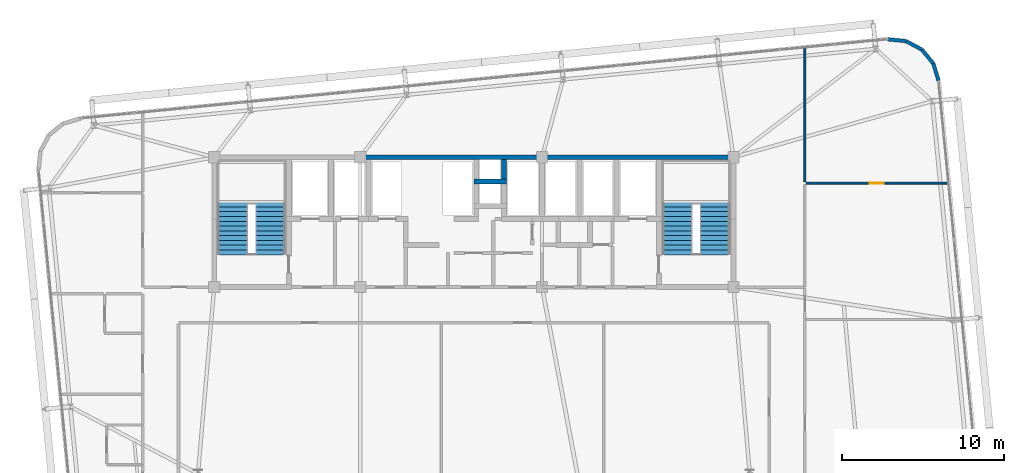
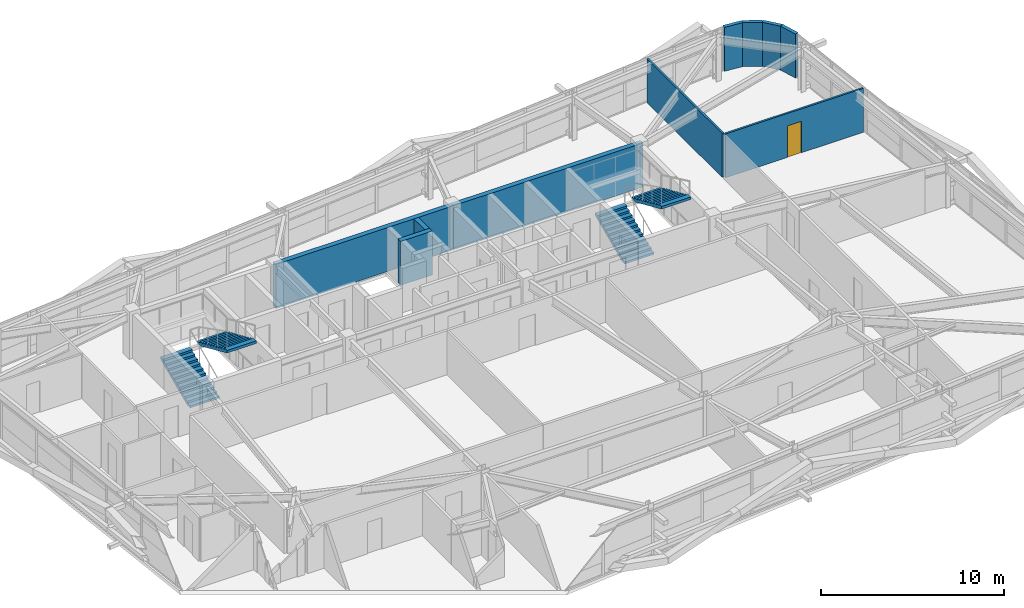
# One storey, part 50 of 53: 10 walls, 4 stair flights, 1 door, 1 opening, 2 elements without a shape of their own.
"""IFC4 building model written with IfcOpenShell, lengths in metres."""

from ifc_helpers import new_model, si_unit, direction, frame, frame_2d, origin, place, context, subcontext, project, spatial, polyline, rectangle, outline, extrude, source, transform, mapped, material, layer, layer_set, type_object, element, fill, aggregate, save


model = new_model("IFC4")

# Units and contexts
model_context = context("Model", 3, precision=1e-05, world=origin(), true_north=direction((0.0, 1.0)))
body_context = subcontext(model_context, "Body", "Model", "MODEL_VIEW")
ifc_project = project(units=[si_unit("LENGTHUNIT", "METRE"), si_unit("AREAUNIT", "SQUARE_METRE"), si_unit("VOLUMEUNIT", "CUBIC_METRE"), si_unit("PLANEANGLEUNIT", "RADIAN"), si_unit("MASSUNIT", "GRAM", prefix="KILO")], contexts=[model_context])

# Site, building, storey
site_placement = place(None, origin())
site = spatial("IfcSite", under=ifc_project, at=site_placement, CompositionType="ELEMENT")
building_placement = place(site_placement, origin())
building = spatial("IfcBuilding", under=site, at=building_placement, Name="Taldren Reach Tower", CompositionType="ELEMENT")
storey_placement = place(building_placement, frame((0.0, 0.0, 80.85009765625)))
storey = spatial("IfcBuildingStorey", under=building, at=storey_placement, Name="L24", CompositionType="ELEMENT", Elevation=80.85009765625)

# Walls
ifc_material_1 = material(Name="Pale Champagne Anodised Aluminium Cladding", Category="aluminium")
ifc_layer_1 = layer(ifc_material_1, 0.04, Name="Pale Champagne Anodised Aluminium Cladding", Category="aluminium")
ifc_material_2 = material(Name="Mineral Wool Acoustic Insulation", Category="insulation")
ifc_layer_2 = layer(ifc_material_2, 0.06, Name="Mineral Wool Acoustic Insulation", Category="insulation")
ifc_material_3 = material(Name="Steel Gr 350 (C350L0)", Category="steel")
ifc_layer_3 = layer(ifc_material_3, 0.12, Name="Steel Gr 350 (C350L0)", Category="steel")
ifc_layer_set_1 = layer_set([ifc_layer_1, ifc_layer_2, ifc_layer_3], Name="Pale Champagne Aluminium Cladding and Steel Gr 350 Stud Framing")
wall_type_1 = type_object("IfcWallType", Name="EW-CRN-220", PredefinedType="SOLIDWALL", material=ifc_layer_set_1)
shared_shape_1 = source(origin(), body_context, "Body", "SweptSolid", [
    extrude(rectangle(XDim=1.115966796875, YDim=0.219970703125, at=frame_2d((0.55810546875, 0.0))), origin(), (0.0, 0.0, 1.0), 2.929931640625),
])
for number, where, z_axis, x_axis, name in (
    (1, (63.6376953125, 36.6982421875, 0.0), (0.0, 0.0, 1.0), (-0.289855603468, 0.957070388811, 0.0), "Rounded-corner pale-metal facade wall L24-NE1"),
    (2, (62.606689453125, 38.629150390625, 0.0), (0.0, 0.0, 1.0), (-0.881655534635, 0.471893545461, 0.0), "Rounded-corner pale-metal facade wall L24-NE3"),
    (3, (61.622802734375, 39.15576171875, 0.0), (0.0, 0.0, 1.0), (-0.995142755671, 0.09844234778, 0.0), "Rounded-corner pale-metal facade wall L24-NE4"),
):
    element("IfcWall", number, at=place(storey_placement, frame(where, z_axis=z_axis, x_axis=x_axis)), inside=storey, type_object=wall_type_1, Name=name, PredefinedType="SOLIDWALL", context=body_context, shape_type="MappedRepresentation", body=[
        mapped(shared_shape_1, transform((0.0, 0.0, 0.0), scale=1.0)),
    ])
shared_shape_2 = source(origin(), body_context, "Body", "SweptSolid", [
    extrude(rectangle(XDim=1.11572265625, YDim=0.219970703125, at=frame_2d((0.557861328125, 0.0))), origin(), (0.0, 0.0, 1.0), 2.929931640625),
])
wall_1_placement = place(storey_placement, frame((63.314208984375, 37.766357421875, 0.0), z_axis=(0.0, 0.0, 1.0), x_axis=(-0.634095287989, 0.773254916409, 0.0)))
element("IfcWall", 4, at=wall_1_placement, inside=storey, type_object=wall_type_1, Name="Rounded-corner pale-metal facade wall L24-NE2", PredefinedType="SOLIDWALL", context=body_context, shape_type="MappedRepresentation", body=[
    mapped(shared_shape_2, transform((0.0, 0.0, 0.0), scale=1.0)),
])
ifc_material_4 = material(Name="Concrete S65 (65 MPa)", Category="concrete")
ifc_layer_4 = layer(ifc_material_4, 0.300048828125)
ifc_layer_set_2 = layer_set([ifc_layer_4], Name="Concrete S65 (65 MPa)")
wall_type_2 = type_object("IfcWallType", Name="IW-CORE-300", PredefinedType="SHEAR", material=ifc_layer_set_2)
shared_shape_3 = source(origin(), body_context, "Body", "SweptSolid", [
    extrude(rectangle(XDim=11.199951171875, YDim=0.300048828125, at=frame_2d((5.60009765625, 0.0))), origin(), (0.0, 0.0, 1.0), 2.929931640625),
])
wall_2_placement = place(storey_placement, frame((28.0, 32.0, 0.0), z_axis=(0.0, 0.0, 1.0), x_axis=(1.0, 0.0, 0.0)))
element("IfcWall", 5, at=wall_2_placement, inside=storey, type_object=wall_type_2, Name="Rear Core Shear Wall W-CORE-L24-NORTH2", PredefinedType="SHEAR", context=body_context, shape_type="MappedRepresentation", body=[
    mapped(shared_shape_3, transform((0.0, 0.0, 0.0), scale=1.0)),
])
shared_shape_4 = source(origin(), body_context, "Body", "SweptSolid", [
    extrude(rectangle(XDim=11.949951171875, YDim=0.300048828125, at=frame_2d((5.97509765625, 0.0))), origin(), (0.0, 0.0, 1.0), 2.929931640625),
])
wall_3_placement = place(storey_placement, frame((39.199951171875, 32.0, 0.0), z_axis=(0.0, 0.0, 1.0), x_axis=(1.0, 0.0, 0.0)))
element("IfcWall", 6, at=wall_3_placement, inside=storey, type_object=wall_type_2, Name="Rear Core Shear Wall W-CORE-L24-NORTH3", PredefinedType="SHEAR", context=body_context, shape_type="MappedRepresentation", body=[
    mapped(shared_shape_4, transform((0.0, 0.0, 0.0), scale=1.0)),
])
shared_shape_5 = source(origin(), body_context, "Body", "SweptSolid", [
    extrude(rectangle(XDim=2.0, YDim=0.300048828125, at=frame_2d((1.0, 0.0))), origin(), (0.0, 0.0, 1.0), 2.929931640625),
])
wall_4_placement = place(storey_placement, frame((35.0, 30.5, 0.0), z_axis=(0.0, 0.0, 1.0), x_axis=(1.0, 0.0, 0.0)))
element("IfcWall", 7, at=wall_4_placement, inside=storey, type_object=wall_type_2, Name="Rear Core Shear Wall W-INT-L24-016", PredefinedType="SHEAR", context=body_context, shape_type="MappedRepresentation", body=[
    mapped(shared_shape_5, transform((0.0, 0.0, 0.0), scale=1.0)),
])
shared_shape_6 = source(origin(), body_context, "Body", "SweptSolid", [
    extrude(rectangle(XDim=1.2001953125, YDim=0.300048828125, at=frame_2d((0.60009765625, 0.0))), origin(), (0.0, 0.0, 1.0), 2.929931640625),
])
wall_5_placement = place(storey_placement, frame((36.85009765625, 30.64990234375, 0.0), z_axis=(0.0, 0.0, 1.0), x_axis=(0.0, 1.0, 0.0)))
element("IfcWall", 8, at=wall_5_placement, inside=storey, type_object=wall_type_2, Name="Rear Core Shear Wall W-INT-L24-018", PredefinedType="SHEAR", context=body_context, shape_type="MappedRepresentation", body=[
    mapped(shared_shape_6, transform((0.0, 0.0, 0.0), scale=1.0)),
])

# Wall, opening, door
ifc_material_5 = material(Name="Insulated Residential Stud Partition", Category="gypsum")
ifc_layer_5 = layer(ifc_material_5, 0.1201171875)
ifc_layer_set_3 = layer_set([ifc_layer_5], Name="Insulated Residential Stud Partition")
wall_type_3 = type_object("IfcWallType", Name="IW-PART-120", PredefinedType="PARTITIONING", material=ifc_layer_set_3)
shared_shape_7 = source(origin(), body_context, "Body", "SweptSolid", [
    extrude(rectangle(XDim=8.692626953125, YDim=0.1201171875, at=frame_2d((4.34619140625, 0.0))), origin(), (0.0, 0.0, 1.0), 2.929931640625),
])
wall_6_placement = place(storey_placement, frame((55.47998046875, 30.39990234375, 0.0), z_axis=(0.0, 0.0, 1.0), x_axis=(1.0, 0.0, 0.0)))
wall_6 = element("IfcWall", 9, at=wall_6_placement, inside=storey, type_object=wall_type_3, Name="Interior Partition Wall W-INT-L24-121", PredefinedType="PARTITIONING", context=body_context, shape_type="MappedRepresentation", body=[
    mapped(shared_shape_7, transform((0.0, 0.0, 0.0), scale=1.0)),
])
shared_shape_8 = source(origin(), body_context, "Body", "SweptSolid", [
    extrude(rectangle(XDim=0.860107421875, YDim=2.10009765625, at=frame_2d((0.43017578125, 1.050048828125))), frame((0.0, 0.070068359375, 0.0), z_axis=(0.0, -1.0, 0.0), x_axis=(1.0, 0.0, 0.0)), (0.0, 0.0, 1.0), 0.14013671875),
])
opening_placement = place(wall_6_placement, frame((3.916259765625, 0.0, 0.0)))
opening = element("IfcOpeningElement", 10, at=opening_placement, cuts=wall_6, Name="Opening DI-086", PredefinedType="OPENING", context=body_context, shape_type="MappedRepresentation", body=[
    mapped(shared_shape_8, transform((0.0, 0.0, 0.0), scale=1.0)),
])
ifc_material_6 = material(Name="Timber Bathroom Door", Category="wood")
door_type = type_object("IfcDoorType", Name="ID-INT-086", OperationType="NOTDEFINED", PredefinedType="DOOR", material=ifc_material_6)
shared_shape_9 = source(origin(), body_context, "Body", "SweptSolid", [
    extrude(rectangle(XDim=0.860107421875, YDim=2.10009765625, at=frame_2d((0.43017578125, 1.050048828125))), frame((0.0, 0.02490234375, 0.0), z_axis=(0.0, -1.0, 0.0), x_axis=(1.0, 0.0, 0.0)), (0.0, 0.0, 1.0), 0.050048828125),
])
door_placement = place(opening_placement, origin())
door = element("IfcDoor", 11, at=door_placement, inside=storey, type_object=door_type, Name="Interior Door DR-L24-037", OperationType="SINGLE_SWING_RIGHT", OverallHeight=2.10009765625, OverallWidth=0.860107421875, PredefinedType="DOOR", context=body_context, shape_type="MappedRepresentation", body=[
    mapped(shared_shape_9, transform((0.0, 0.0, 0.0), scale=1.0)),
])
fill(opening, door)

# Wall
shared_shape_10 = source(origin(), body_context, "Body", "SweptSolid", [
    extrude(rectangle(XDim=8.20166015625, YDim=0.1201171875, at=frame_2d((4.100830078125, 0.0))), origin(), (0.0, 0.0, 1.0), 2.929931640625),
])
wall_7_placement = place(storey_placement, frame((55.39990234375, 30.47998046875, 0.0), z_axis=(0.0, 0.0, 1.0), x_axis=(0.0, 1.0, 0.0)))
element("IfcWall", 12, at=wall_7_placement, inside=storey, type_object=wall_type_3, Name="Interior Partition Wall W-INT-L24-123", PredefinedType="PARTITIONING", context=body_context, shape_type="MappedRepresentation", body=[
    mapped(shared_shape_10, transform((0.0, 0.0, 0.0), scale=1.0)),
])

# Stair, stair flights
ifc_material_7 = material(Name="Concrete S50 (50 MPa)", Category="concrete")
stair_type = type_object("IfcStairType", Name="ST-HT-315", PredefinedType="HALF_TURN_STAIR", material=ifc_material_7)
stair_1_placement = place(storey_placement, origin())
stair_1 = element("IfcStair", 13, at=stair_1_placement, inside=storey, type_object=stair_type, Name="Fire-isolated exit stair ST1 L24", PredefinedType="HALF_TURN_STAIR")
stair_flight_type = type_object("IfcStairFlightType", Name="SF-STR-315", PredefinedType="STRAIGHT", material=ifc_material_7)
stair_flight_1_placement = place(storey_placement, frame((20.139892578125, 25.989990234375, 0.0), z_axis=(0.0, 0.0, 1.0), x_axis=(0.0, 1.0, 0.0)))
stair_flight_1 = element("IfcStairFlight", 14, at=stair_flight_1_placement, type_object=stair_flight_type, Name="ST1 flight 1", NumberOfRisers=12, NumberOfTreads=11, PredefinedType="STRAIGHT", RiserHeight=0.13125, TreadLength=0.295, context=body_context, shape_type="SweptSolid", body=[
    extrude(outline(polyline([(0.0, 0.0), (0.0, 0.13134765625), (0.294921875, 0.13134765625), (0.294921875, 0.262451171875), (0.590087890625, 0.262451171875), (0.590087890625, 0.393798828125), (0.885009765625, 0.393798828125), (0.885009765625, 0.52490234375), (1.179931640625, 0.52490234375), (1.179931640625, 0.65625), (1.47509765625, 0.65625), (1.47509765625, 0.78759765625), (1.77001953125, 0.78759765625), (1.77001953125, 0.918701171875), (2.06494140625, 0.918701171875), (2.06494140625, 1.050048828125), (2.360107421875, 1.050048828125), (2.360107421875, 1.18115234375), (2.655029296875, 1.18115234375), (2.655029296875, 1.3125), (2.949951171875, 1.3125), (2.949951171875, 1.44384765625), (3.2451171875, 1.44384765625), (3.2451171875, 1.574951171875), (3.2451171875, 1.268798828125), (0.393310546875, 0.0), (0.0, 0.0)])), frame((0.0, 0.919921875, 0.0), z_axis=(0.0, -1.0, 0.0), x_axis=(1.0, 0.0, 0.0)), (0.0, 0.0, 1.0), 1.840087890625),
])
stair_flight_2_placement = place(storey_placement, frame((22.4599609375, 29.235107421875, 1.574951171875), z_axis=(0.0, 0.0, 1.0), x_axis=(0.0, -1.0, 0.0)))
stair_flight_2 = element("IfcStairFlight", 15, at=stair_flight_2_placement, type_object=stair_flight_type, Name="ST1 flight 2", NumberOfRisers=12, NumberOfTreads=11, PredefinedType="STRAIGHT", RiserHeight=0.13125, TreadLength=0.295, context=body_context, shape_type="SweptSolid", body=[
    extrude(outline(polyline([(0.0, 0.0), (0.0, 0.13134765625), (0.294921875, 0.13134765625), (0.294921875, 0.262451171875), (0.590087890625, 0.262451171875), (0.590087890625, 0.393798828125), (0.885009765625, 0.393798828125), (0.885009765625, 0.52490234375), (1.179931640625, 0.52490234375), (1.179931640625, 0.65625), (1.47509765625, 0.65625), (1.47509765625, 0.78759765625), (1.77001953125, 0.78759765625), (1.77001953125, 0.918701171875), (2.06494140625, 0.918701171875), (2.06494140625, 1.050048828125), (2.360107421875, 1.050048828125), (2.360107421875, 1.18115234375), (2.655029296875, 1.18115234375), (2.655029296875, 1.3125), (2.949951171875, 1.3125), (2.949951171875, 1.44384765625), (3.2451171875, 1.44384765625), (3.2451171875, 1.574951171875), (3.2451171875, 1.268798828125), (0.393310546875, 0.0), (0.0, 0.0)])), frame((0.0, 0.919921875, 0.0), z_axis=(0.0, -1.0, 0.0), x_axis=(1.0, 0.0, 0.0)), (0.0, 0.0, 1.0), 1.840087890625),
])
aggregate(stair_1, [stair_flight_1, stair_flight_2])

stair_2_placement = place(storey_placement, origin())
stair_2 = element("IfcStair", 16, at=stair_2_placement, inside=storey, type_object=stair_type, Name="Fire-isolated exit stair ST2 L24", PredefinedType="HALF_TURN_STAIR")
stair_flight_3_placement = place(storey_placement, frame((47.5400390625, 25.989990234375, 0.0), z_axis=(0.0, 0.0, 1.0), x_axis=(0.0, 1.0, 0.0)))
stair_flight_3 = element("IfcStairFlight", 17, at=stair_flight_3_placement, type_object=stair_flight_type, Name="ST2 flight 1", NumberOfRisers=12, NumberOfTreads=11, PredefinedType="STRAIGHT", RiserHeight=0.13125, TreadLength=0.295, context=body_context, shape_type="SweptSolid", body=[
    extrude(outline(polyline([(0.0, 0.0), (0.0, 0.13134765625), (0.294921875, 0.13134765625), (0.294921875, 0.262451171875), (0.590087890625, 0.262451171875), (0.590087890625, 0.393798828125), (0.885009765625, 0.393798828125), (0.885009765625, 0.52490234375), (1.179931640625, 0.52490234375), (1.179931640625, 0.65625), (1.47509765625, 0.65625), (1.47509765625, 0.78759765625), (1.77001953125, 0.78759765625), (1.77001953125, 0.918701171875), (2.06494140625, 0.918701171875), (2.06494140625, 1.050048828125), (2.360107421875, 1.050048828125), (2.360107421875, 1.18115234375), (2.655029296875, 1.18115234375), (2.655029296875, 1.3125), (2.949951171875, 1.3125), (2.949951171875, 1.44384765625), (3.2451171875, 1.44384765625), (3.2451171875, 1.574951171875), (3.2451171875, 1.268798828125), (0.393310546875, 0.0), (0.0, 0.0)])), frame((0.0, 0.919921875, 0.0), z_axis=(0.0, -1.0, 0.0), x_axis=(1.0, 0.0, 0.0)), (0.0, 0.0, 1.0), 1.840087890625),
])
stair_flight_4_placement = place(storey_placement, frame((49.860107421875, 29.235107421875, 1.574951171875), z_axis=(0.0, 0.0, 1.0), x_axis=(0.0, -1.0, 0.0)))
stair_flight_4 = element("IfcStairFlight", 18, at=stair_flight_4_placement, type_object=stair_flight_type, Name="ST2 flight 2", NumberOfRisers=12, NumberOfTreads=11, PredefinedType="STRAIGHT", RiserHeight=0.13125, TreadLength=0.295, context=body_context, shape_type="SweptSolid", body=[
    extrude(outline(polyline([(0.0, 0.0), (0.0, 0.13134765625), (0.294921875, 0.13134765625), (0.294921875, 0.262451171875), (0.590087890625, 0.262451171875), (0.590087890625, 0.393798828125), (0.885009765625, 0.393798828125), (0.885009765625, 0.52490234375), (1.179931640625, 0.52490234375), (1.179931640625, 0.65625), (1.47509765625, 0.65625), (1.47509765625, 0.78759765625), (1.77001953125, 0.78759765625), (1.77001953125, 0.918701171875), (2.06494140625, 0.918701171875), (2.06494140625, 1.050048828125), (2.360107421875, 1.050048828125), (2.360107421875, 1.18115234375), (2.655029296875, 1.18115234375), (2.655029296875, 1.3125), (2.949951171875, 1.3125), (2.949951171875, 1.44384765625), (3.2451171875, 1.44384765625), (3.2451171875, 1.574951171875), (3.2451171875, 1.268798828125), (0.393310546875, 0.0), (0.0, 0.0)])), frame((0.0, 0.919921875, 0.0), z_axis=(0.0, -1.0, 0.0), x_axis=(1.0, 0.0, 0.0)), (0.0, 0.0, 1.0), 1.840087890625),
])
aggregate(stair_2, [stair_flight_3, stair_flight_4])

save(model, "model.ifc")
